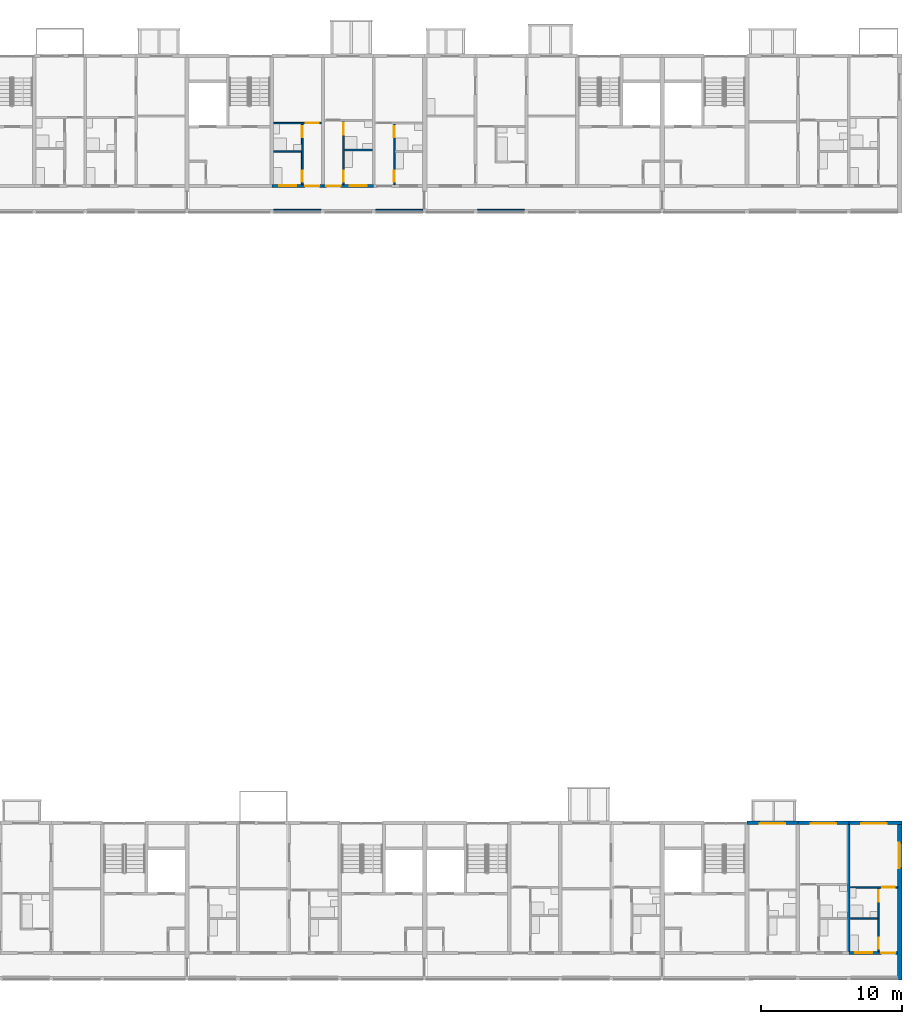
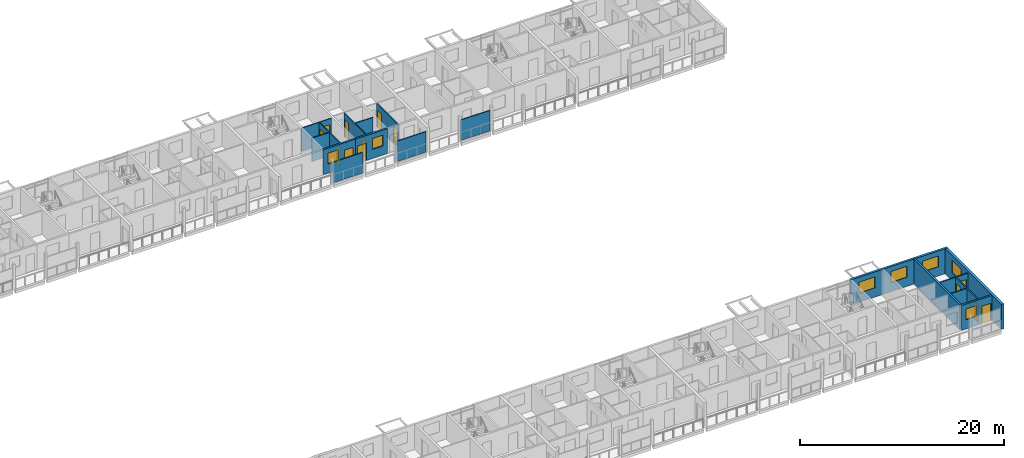
# One storey, part 54 of 99: 20 walls, 13 doors, 7 windows, 20 openings.
"""IFC4 building model written with IfcOpenShell, lengths in metres."""

from ifc_helpers import new_model, si_unit, direction, frame, frame_2d, origin, place, context, subcontext, project, spatial, rectangle, extrude, material, layer, layer_set, type_object, element, fill, save


model = new_model("IFC4")

# Units and contexts
model_context = context("Model", 3, precision=1e-05, world=origin(), true_north=direction((0.0, 1.0)))
body_context = subcontext(model_context, "Body", "Model", "MODEL_VIEW")
ifc_project = project(units=[si_unit("LENGTHUNIT", "METRE"), si_unit("AREAUNIT", "SQUARE_METRE"), si_unit("VOLUMEUNIT", "CUBIC_METRE"), si_unit("PLANEANGLEUNIT", "RADIAN"), si_unit("MASSUNIT", "GRAM", prefix="KILO")], contexts=[model_context])

# Site, building, storey
site_placement = place(None, origin())
site = spatial("IfcSite", under=ifc_project, at=site_placement, CompositionType="ELEMENT")
building_placement = place(site_placement, origin())
building = spatial("IfcBuilding", under=site, at=building_placement, Name="Ridgestep Commons", CompositionType="ELEMENT")
storey_placement = place(building_placement, frame((0.0, 0.0, 15.0)))
storey = spatial("IfcBuildingStorey", under=building, at=storey_placement, Name="L05", CompositionType="ELEMENT", Elevation=15.0)

# Wall
ifc_material_1 = material(Name="Precast concrete C40/50", Category="concrete")
ifc_layer_1 = layer(ifc_material_1, 0.199951171875)
ifc_layer_set_1 = layer_set([ifc_layer_1], Name="Cross wall 200")
wall_type_1 = type_object("IfcWallType", Name="Cross wall 200", PredefinedType="SHEAR", material=ifc_layer_set_1)
wall_1_placement = place(storey_placement, frame((244.0, 13.75, 0.0), z_axis=(0.0, 0.0, 1.0), x_axis=(0.0, 1.0, 0.0)))
element("IfcWall", 1, at=wall_1_placement, inside=storey, type_object=wall_type_1, Name="Cross wall D-05-2440", PredefinedType="SHEAR", context=body_context, shape_type="SweptSolid", body=[
    extrude(rectangle(XDim=9.0, YDim=0.199951171875, at=frame_2d((4.5, 0.0))), origin(), (0.0, 0.0, 1.0), 3.0),
])

# Wall, opening, window
ifc_material_2 = material(Name="Precast concrete C40/50", Category="concrete")
ifc_layer_2 = layer(ifc_material_2, 0.300048828125)
ifc_layer_set_2 = layer_set([ifc_layer_2], Name="Exposed division wall 300")
wall_type_2 = type_object("IfcWallType", Name="Exposed division wall 300", PredefinedType="SHEAR", material=ifc_layer_set_2)
wall_2_placement = place(storey_placement, frame((247.60009765625, 11.75, 0.0), z_axis=(0.0, 0.0, 1.0), x_axis=(0.0, 1.0, 0.0)))
wall_2 = element("IfcWall", 2, at=wall_2_placement, inside=storey, type_object=wall_type_2, Name="Cross wall D-05-2476", PredefinedType="SHEAR", context=body_context, shape_type="SweptSolid", body=[
    extrude(rectangle(XDim=11.0, YDim=0.300048828125, at=frame_2d((5.5, 0.0))), origin(), (0.0, 0.0, 1.0), 3.0),
])
opening_1_placement = place(wall_2_placement, frame((7.905029296875, 0.0, 0.89990234375)))
opening_1 = element("IfcOpeningElement", 3, at=opening_1_placement, cuts=wall_2, Name="Opening W20", PredefinedType="OPENING", context=body_context, shape_type="SweptSolid", body=[
    extrude(rectangle(XDim=1.800048828125, YDim=1.5, at=frame_2d((0.89990234375, 0.75))), frame((0.0, 0.159912109375, 0.0), z_axis=(0.0, -1.0, 0.0), x_axis=(1.0, 0.0, 0.0)), (0.0, 0.0, 1.0), 0.320068359375),
])
ifc_material_3 = material(Name="Aluminium 6063-T6 and glass", Category="aluminium")
window_type_1 = type_object("IfcWindowType", Name="Flat window 1800 x 1500", PartitioningType="DOUBLE_PANEL_VERTICAL", PredefinedType="WINDOW", material=ifc_material_3)
window_1_placement = place(opening_1_placement, origin())
window_1 = element("IfcWindow", 4, at=window_1_placement, inside=storey, type_object=window_type_1, Name="Window D6-05a 3", OverallHeight=1.5, OverallWidth=1.800048828125, PartitioningType="SINGLE_PANEL", PredefinedType="WINDOW", context=body_context, shape_type="SweptSolid", body=[
    extrude(rectangle(XDim=1.800048828125, YDim=1.5, at=frame_2d((0.89990234375, 0.75))), frame((0.0, 0.06005859375, 0.0), z_axis=(0.0, -1.0, 0.0), x_axis=(1.0, 0.0, 0.0)), (0.0, 0.0, 1.0), 0.06005859375),
])
fill(opening_1, window_1)

ifc_material_4 = material(Name="Precast concrete C40/50", Category="concrete")
ifc_layer_3 = layer(ifc_material_4, 0.25)
ifc_layer_set_3 = layer_set([ifc_layer_3], Name="North facade panel 250")
wall_type_3 = type_object("IfcWallType", Name="North facade panel 250", PredefinedType="SOLIDWALL", material=ifc_layer_set_3)
wall_3_placement = place(storey_placement, frame((236.800048828125, 22.875, 0.0), z_axis=(0.0, 0.0, 1.0), x_axis=(1.0, 0.0, 0.0)))
wall_3 = element("IfcWall", 5, at=wall_3_placement, inside=storey, type_object=wall_type_3, Name="North panel D6T3 L05", PredefinedType="SOLIDWALL", context=body_context, shape_type="SweptSolid", body=[
    extrude(rectangle(XDim=3.599853515625, YDim=0.25, at=frame_2d((1.7998046875, 0.0))), origin(), (0.0, 0.0, 1.0), 3.0),
])
opening_2_placement = place(wall_3_placement, frame((0.89990234375, 0.0, 1.10009765625)))
opening_2 = element("IfcOpeningElement", 6, at=opening_2_placement, cuts=wall_3, Name="Opening W18", PredefinedType="OPENING", context=body_context, shape_type="SweptSolid", body=[
    extrude(rectangle(XDim=1.800048828125, YDim=1.300048828125, at=frame_2d((0.89990234375, 0.64990234375))), frame((0.0, 0.135009765625, 0.0), z_axis=(0.0, -1.0, 0.0), x_axis=(1.0, 0.0, 0.0)), (0.0, 0.0, 1.0), 0.27001953125),
])
ifc_material_5 = material(Name="Aluminium 6063-T6 and glass", Category="aluminium")
window_type_2 = type_object("IfcWindowType", Name="Flat window 1800 x 1300", PartitioningType="DOUBLE_PANEL_VERTICAL", PredefinedType="WINDOW", material=ifc_material_5)
window_2_placement = place(opening_2_placement, origin())
window_2 = element("IfcWindow", 7, at=window_2_placement, inside=storey, type_object=window_type_2, Name="Window D6-05c 2", OverallHeight=1.300048828125, OverallWidth=1.800048828125, PartitioningType="SINGLE_PANEL", PredefinedType="WINDOW", context=body_context, shape_type="SweptSolid", body=[
    extrude(rectangle(XDim=1.800048828125, YDim=1.300048828125, at=frame_2d((0.89990234375, 0.64990234375))), frame((0.0, -0.02490234375, 0.0), z_axis=(0.0, -1.0, 0.0), x_axis=(1.0, 0.0, 0.0)), (0.0, 0.0, 1.0), 0.06005859375),
])
fill(opening_2, window_2)

wall_4_placement = place(storey_placement, frame((240.39990234375, 22.875, 0.0), z_axis=(0.0, 0.0, 1.0), x_axis=(1.0, 0.0, 0.0)))
wall_4 = element("IfcWall", 8, at=wall_4_placement, inside=storey, type_object=wall_type_3, Name="North panel D6T2 L05", PredefinedType="SOLIDWALL", context=body_context, shape_type="SweptSolid", body=[
    extrude(rectangle(XDim=3.60009765625, YDim=0.25, at=frame_2d((1.800048828125, 0.0))), origin(), (0.0, 0.0, 1.0), 3.0),
])
opening_3_placement = place(wall_4_placement, frame((0.91259765625, 0.0, 1.10009765625)))
opening_3 = element("IfcOpeningElement", 9, at=opening_3_placement, cuts=wall_4, Name="Opening W18", PredefinedType="OPENING", context=body_context, shape_type="SweptSolid", body=[
    extrude(rectangle(XDim=1.800048828125, YDim=1.300048828125, at=frame_2d((0.89990234375, 0.64990234375))), frame((0.0, 0.135009765625, 0.0), z_axis=(0.0, -1.0, 0.0), x_axis=(1.0, 0.0, 0.0)), (0.0, 0.0, 1.0), 0.27001953125),
])
window_3_placement = place(opening_3_placement, origin())
window_3 = element("IfcWindow", 10, at=window_3_placement, inside=storey, type_object=window_type_2, Name="Window D6-05b 2", OverallHeight=1.300048828125, OverallWidth=1.800048828125, PartitioningType="SINGLE_PANEL", PredefinedType="WINDOW", context=body_context, shape_type="SweptSolid", body=[
    extrude(rectangle(XDim=1.800048828125, YDim=1.300048828125, at=frame_2d((0.89990234375, 0.64990234375))), frame((0.0, -0.02490234375, 0.0), z_axis=(0.0, -1.0, 0.0), x_axis=(1.0, 0.0, 0.0)), (0.0, 0.0, 1.0), 0.06005859375),
])
fill(opening_3, window_3)

wall_5_placement = place(storey_placement, frame((244.0, 22.875, 0.0), z_axis=(0.0, 0.0, 1.0), x_axis=(1.0, 0.0, 0.0)))
wall_5 = element("IfcWall", 11, at=wall_5_placement, inside=storey, type_object=wall_type_3, Name="North panel D6T1 L05", PredefinedType="SOLIDWALL", context=body_context, shape_type="SweptSolid", body=[
    extrude(rectangle(XDim=3.75, YDim=0.25, at=frame_2d((1.875, 0.0))), origin(), (0.0, 0.0, 1.0), 3.0),
])
opening_4_placement = place(wall_5_placement, frame((0.875, 0.0, 1.10009765625)))
opening_4 = element("IfcOpeningElement", 12, at=opening_4_placement, cuts=wall_5, Name="Opening W18", PredefinedType="OPENING", context=body_context, shape_type="SweptSolid", body=[
    extrude(rectangle(XDim=1.800048828125, YDim=1.300048828125, at=frame_2d((0.89990234375, 0.64990234375))), frame((0.0, 0.135009765625, 0.0), z_axis=(0.0, -1.0, 0.0), x_axis=(1.0, 0.0, 0.0)), (0.0, 0.0, 1.0), 0.27001953125),
])
window_4_placement = place(opening_4_placement, origin())
window_4 = element("IfcWindow", 13, at=window_4_placement, inside=storey, type_object=window_type_2, Name="Window D6-05a 2", OverallHeight=1.300048828125, OverallWidth=1.800048828125, PartitioningType="SINGLE_PANEL", PredefinedType="WINDOW", context=body_context, shape_type="SweptSolid", body=[
    extrude(rectangle(XDim=1.800048828125, YDim=1.300048828125, at=frame_2d((0.89990234375, 0.64990234375))), frame((0.0, -0.02490234375, 0.0), z_axis=(0.0, -1.0, 0.0), x_axis=(1.0, 0.0, 0.0)), (0.0, 0.0, 1.0), 0.06005859375),
])
fill(opening_4, window_4)

# Wall, openings, doors
ifc_material_6 = material(Name="Common brick 110 mm", Category="masonry")
ifc_layer_4 = layer(ifc_material_6, 0.110107421875)
ifc_layer_set_4 = layer_set([ifc_layer_4], Name="Partition 110")
wall_type_4 = type_object("IfcWallType", Name="Partition 110", PredefinedType="PARTITIONING", material=ifc_layer_set_4)
wall_6_placement = place(storey_placement, frame((211.85498046875, 68.0, 0.0), z_axis=(0.0, 0.0, 1.0), x_axis=(0.0, 1.0, 0.0)))
wall_6 = element("IfcWall", 14, at=wall_6_placement, inside=storey, type_object=wall_type_4, Name="Partition C4-05a", PredefinedType="PARTITIONING", context=body_context, shape_type="SweptSolid", body=[
    extrude(rectangle(XDim=4.300048828125, YDim=0.110107421875, at=frame_2d((2.14990234375, 0.0))), origin(), (0.0, 0.0, 1.0), 2.800048828125),
])
opening_5_placement = place(wall_6_placement, frame((0.199951171875, 0.0, 0.0)))
opening_5 = element("IfcOpeningElement", 15, at=opening_5_placement, cuts=wall_6, Name="Opening C4-05a/2", PredefinedType="OPENING", context=body_context, shape_type="SweptSolid", body=[
    extrude(rectangle(XDim=0.800048828125, YDim=2.10009765625, at=frame_2d((0.39990234375, 1.050048828125))), frame((0.0, 0.06494140625, 0.0), z_axis=(0.0, -1.0, 0.0), x_axis=(1.0, 0.0, 0.0)), (0.0, 0.0, 1.0), 0.130126953125),
])
opening_6_placement = place(wall_6_placement, frame((3.35009765625, 0.0, 0.0)))
opening_6 = element("IfcOpeningElement", 16, at=opening_6_placement, cuts=wall_6, Name="Opening C4-05a/3", PredefinedType="OPENING", context=body_context, shape_type="SweptSolid", body=[
    extrude(rectangle(XDim=0.800048828125, YDim=2.10009765625, at=frame_2d((0.39990234375, 1.050048828125))), frame((0.0, 0.06494140625, 0.0), z_axis=(0.0, -1.0, 0.0), x_axis=(1.0, 0.0, 0.0)), (0.0, 0.0, 1.0), 0.130126953125),
])
ifc_material_7 = material(Name="Timber door leaf", Category="wood")
door_type_1 = type_object("IfcDoorType", Name="Internal door 800 x 2100", OperationType="NOTDEFINED", PredefinedType="DOOR", material=ifc_material_7)
door_1_placement = place(opening_5_placement, origin())
door_1 = element("IfcDoor", 17, at=door_1_placement, inside=storey, type_object=door_type_1, Name="Internal door C4-05a/2", OperationType="SINGLE_SWING_RIGHT", OverallHeight=2.10009765625, OverallWidth=0.800048828125, PredefinedType="DOOR", context=body_context, shape_type="SweptSolid", body=[
    extrude(rectangle(XDim=0.800048828125, YDim=2.10009765625, at=frame_2d((0.39990234375, 1.050048828125))), frame((0.0, 0.02490234375, 0.0), z_axis=(0.0, -1.0, 0.0), x_axis=(1.0, 0.0, 0.0)), (0.0, 0.0, 1.0), 0.050048828125),
])
fill(opening_5, door_1)
door_2_placement = place(opening_6_placement, origin())
door_2 = element("IfcDoor", 18, at=door_2_placement, inside=storey, type_object=door_type_1, Name="Internal door C4-05a/3", OperationType="SINGLE_SWING_LEFT", OverallHeight=2.10009765625, OverallWidth=0.800048828125, PredefinedType="DOOR", context=body_context, shape_type="SweptSolid", body=[
    extrude(rectangle(XDim=0.800048828125, YDim=2.10009765625, at=frame_2d((0.39990234375, 1.050048828125))), frame((0.0, 0.02490234375, 0.0), z_axis=(0.0, -1.0, 0.0), x_axis=(1.0, 0.0, 0.0)), (0.0, 0.0, 1.0), 0.050048828125),
])
fill(opening_6, door_2)

wall_7_placement = place(storey_placement, frame((208.2548828125, 68.0, 0.0), z_axis=(0.0, 0.0, 1.0), x_axis=(0.0, 1.0, 0.0)))
wall_7 = element("IfcWall", 19, at=wall_7_placement, inside=storey, type_object=wall_type_4, Name="Partition C4-05b", PredefinedType="PARTITIONING", context=body_context, shape_type="SweptSolid", body=[
    extrude(rectangle(XDim=4.5, YDim=0.110107421875, at=frame_2d((2.25, 0.0))), origin(), (0.0, 0.0, 1.0), 2.800048828125),
])
opening_7_placement = place(wall_7_placement, frame((0.199951171875, 0.0, 0.0)))
opening_7 = element("IfcOpeningElement", 20, at=opening_7_placement, cuts=wall_7, Name="Opening C4-05b/2", PredefinedType="OPENING", context=body_context, shape_type="SweptSolid", body=[
    extrude(rectangle(XDim=0.800048828125, YDim=2.10009765625, at=frame_2d((0.39990234375, 1.050048828125))), frame((0.0, 0.06494140625, 0.0), z_axis=(0.0, -1.0, 0.0), x_axis=(1.0, 0.0, 0.0)), (0.0, 0.0, 1.0), 0.130126953125),
])
opening_8_placement = place(wall_7_placement, frame((3.550048828125, 0.0, 0.0)))
opening_8 = element("IfcOpeningElement", 21, at=opening_8_placement, cuts=wall_7, Name="Opening C4-05b/3", PredefinedType="OPENING", context=body_context, shape_type="SweptSolid", body=[
    extrude(rectangle(XDim=0.800048828125, YDim=2.10009765625, at=frame_2d((0.39990234375, 1.050048828125))), frame((0.0, 0.06494140625, 0.0), z_axis=(0.0, -1.0, 0.0), x_axis=(1.0, 0.0, 0.0)), (0.0, 0.0, 1.0), 0.130126953125),
])
door_3_placement = place(opening_7_placement, origin())
door_3 = element("IfcDoor", 22, at=door_3_placement, inside=storey, type_object=door_type_1, Name="Internal door C4-05b/2", OperationType="SINGLE_SWING_RIGHT", OverallHeight=2.10009765625, OverallWidth=0.800048828125, PredefinedType="DOOR", context=body_context, shape_type="SweptSolid", body=[
    extrude(rectangle(XDim=0.800048828125, YDim=2.10009765625, at=frame_2d((0.39990234375, 1.050048828125))), frame((0.0, 0.02490234375, 0.0), z_axis=(0.0, -1.0, 0.0), x_axis=(1.0, 0.0, 0.0)), (0.0, 0.0, 1.0), 0.050048828125),
])
fill(opening_7, door_3)
door_4_placement = place(opening_8_placement, origin())
door_4 = element("IfcDoor", 23, at=door_4_placement, inside=storey, type_object=door_type_1, Name="Internal door C4-05b/3", OperationType="SINGLE_SWING_LEFT", OverallHeight=2.10009765625, OverallWidth=0.800048828125, PredefinedType="DOOR", context=body_context, shape_type="SweptSolid", body=[
    extrude(rectangle(XDim=0.800048828125, YDim=2.10009765625, at=frame_2d((0.39990234375, 1.050048828125))), frame((0.0, 0.02490234375, 0.0), z_axis=(0.0, -1.0, 0.0), x_axis=(1.0, 0.0, 0.0)), (0.0, 0.0, 1.0), 0.050048828125),
])
fill(opening_8, door_4)

# Walls
wall_8_placement = place(storey_placement, frame((208.31005859375, 70.455078125, 0.0), z_axis=(0.0, 0.0, 1.0), x_axis=(1.0, 0.0, 0.0)))
element("IfcWall", 24, at=wall_8_placement, inside=storey, type_object=wall_type_4, Name="Partition C4-05b", PredefinedType="PARTITIONING", context=body_context, shape_type="SweptSolid", body=[
    extrude(rectangle(XDim=1.989990234375, YDim=0.110107421875, at=frame_2d((0.9951171875, 0.0))), origin(), (0.0, 0.0, 1.0), 2.800048828125),
])
wall_9_placement = place(storey_placement, frame((203.324951171875, 70.35498046875, 0.0), z_axis=(0.0, 0.0, 1.0), x_axis=(1.0, 0.0, 0.0)))
element("IfcWall", 25, at=wall_9_placement, inside=storey, type_object=wall_type_4, Name="Partition C4-05c", PredefinedType="PARTITIONING", context=body_context, shape_type="SweptSolid", body=[
    extrude(rectangle(XDim=1.965087890625, YDim=0.110107421875, at=frame_2d((0.982421875, 0.0))), origin(), (0.0, 0.0, 1.0), 2.800048828125),
])

# Wall, openings, doors
wall_10_placement = place(storey_placement, frame((205.344970703125, 68.0, 0.0), z_axis=(0.0, 0.0, 1.0), x_axis=(0.0, 1.0, 0.0)))
wall_10 = element("IfcWall", 26, at=wall_10_placement, inside=storey, type_object=wall_type_4, Name="Partition C4-05c", PredefinedType="PARTITIONING", context=body_context, shape_type="SweptSolid", body=[
    extrude(rectangle(XDim=4.300048828125, YDim=0.110107421875, at=frame_2d((2.14990234375, 0.0))), origin(), (0.0, 0.0, 1.0), 2.800048828125),
])
opening_9_placement = place(wall_10_placement, frame((0.199951171875, 0.0, 0.0)))
opening_9 = element("IfcOpeningElement", 27, at=opening_9_placement, cuts=wall_10, Name="Opening C4-05c/2", PredefinedType="OPENING", context=body_context, shape_type="SweptSolid", body=[
    extrude(rectangle(XDim=0.800048828125, YDim=2.10009765625, at=frame_2d((0.39990234375, 1.050048828125))), frame((0.0, 0.06494140625, 0.0), z_axis=(0.0, -1.0, 0.0), x_axis=(1.0, 0.0, 0.0)), (0.0, 0.0, 1.0), 0.130126953125),
])
opening_10_placement = place(wall_10_placement, frame((3.35009765625, 0.0, 0.0)))
opening_10 = element("IfcOpeningElement", 28, at=opening_10_placement, cuts=wall_10, Name="Opening C4-05c/3", PredefinedType="OPENING", context=body_context, shape_type="SweptSolid", body=[
    extrude(rectangle(XDim=0.800048828125, YDim=2.10009765625, at=frame_2d((0.39990234375, 1.050048828125))), frame((0.0, 0.06494140625, 0.0), z_axis=(0.0, -1.0, 0.0), x_axis=(1.0, 0.0, 0.0)), (0.0, 0.0, 1.0), 0.130126953125),
])
door_5_placement = place(opening_9_placement, origin())
door_5 = element("IfcDoor", 29, at=door_5_placement, inside=storey, type_object=door_type_1, Name="Internal door C4-05c/2", OperationType="SINGLE_SWING_LEFT", OverallHeight=2.10009765625, OverallWidth=0.800048828125, PredefinedType="DOOR", context=body_context, shape_type="SweptSolid", body=[
    extrude(rectangle(XDim=0.800048828125, YDim=2.10009765625, at=frame_2d((0.39990234375, 1.050048828125))), frame((0.0, 0.02490234375, 0.0), z_axis=(0.0, -1.0, 0.0), x_axis=(1.0, 0.0, 0.0)), (0.0, 0.0, 1.0), 0.050048828125),
])
fill(opening_9, door_5)
door_6_placement = place(opening_10_placement, origin())
door_6 = element("IfcDoor", 30, at=door_6_placement, inside=storey, type_object=door_type_1, Name="Internal door C4-05c/3", OperationType="SINGLE_SWING_RIGHT", OverallHeight=2.10009765625, OverallWidth=0.800048828125, PredefinedType="DOOR", context=body_context, shape_type="SweptSolid", body=[
    extrude(rectangle(XDim=0.800048828125, YDim=2.10009765625, at=frame_2d((0.39990234375, 1.050048828125))), frame((0.0, 0.02490234375, 0.0), z_axis=(0.0, -1.0, 0.0), x_axis=(1.0, 0.0, 0.0)), (0.0, 0.0, 1.0), 0.050048828125),
])
fill(opening_10, door_6)

# Wall, opening, door
wall_11_placement = place(storey_placement, frame((203.324951171875, 72.35498046875, 0.0), z_axis=(0.0, 0.0, 1.0), x_axis=(1.0, 0.0, 0.0)))
wall_11 = element("IfcWall", 31, at=wall_11_placement, inside=storey, type_object=wall_type_4, Name="Partition C4-05c", PredefinedType="PARTITIONING", context=body_context, shape_type="SweptSolid", body=[
    extrude(rectangle(XDim=3.375, YDim=0.110107421875, at=frame_2d((1.6875, 0.0))), origin(), (0.0, 0.0, 1.0), 2.800048828125),
])
opening_11_placement = place(wall_11_placement, frame((2.27490234375, 0.0, 0.0)))
opening_11 = element("IfcOpeningElement", 32, at=opening_11_placement, cuts=wall_11, Name="Opening C4-05c/4", PredefinedType="OPENING", context=body_context, shape_type="SweptSolid", body=[
    extrude(rectangle(XDim=0.89990234375, YDim=2.10009765625, at=frame_2d((0.449951171875, 1.050048828125))), frame((0.0, 0.06494140625, 0.0), z_axis=(0.0, -1.0, 0.0), x_axis=(1.0, 0.0, 0.0)), (0.0, 0.0, 1.0), 0.130126953125),
])
ifc_material_8 = material(Name="Timber door leaf", Category="wood")
door_type_2 = type_object("IfcDoorType", Name="Internal door 900 x 2100", OperationType="NOTDEFINED", PredefinedType="DOOR", material=ifc_material_8)
door_7_placement = place(opening_11_placement, origin())
door_7 = element("IfcDoor", 33, at=door_7_placement, inside=storey, type_object=door_type_2, Name="Internal door C4-05c/4", OperationType="SINGLE_SWING_LEFT", OverallHeight=2.10009765625, OverallWidth=0.89990234375, PredefinedType="DOOR", context=body_context, shape_type="SweptSolid", body=[
    extrude(rectangle(XDim=0.89990234375, YDim=2.10009765625, at=frame_2d((0.449951171875, 1.050048828125))), frame((0.0, 0.02490234375, 0.0), z_axis=(0.0, -1.0, 0.0), x_axis=(1.0, 0.0, 0.0)), (0.0, 0.0, 1.0), 0.050048828125),
])
fill(opening_11, door_7)

# Wall
wall_12_placement = place(storey_placement, frame((244.10009765625, 16.10498046875, 0.0), z_axis=(0.0, 0.0, 1.0), x_axis=(1.0, 0.0, 0.0)))
element("IfcWall", 34, at=wall_12_placement, inside=storey, type_object=wall_type_4, Name="Partition D6-05a", PredefinedType="PARTITIONING", context=body_context, shape_type="SweptSolid", body=[
    extrude(rectangle(XDim=1.93994140625, YDim=0.110107421875, at=frame_2d((0.969970703125, 0.0))), origin(), (0.0, 0.0, 1.0), 2.800048828125),
])

# Wall, openings, doors
wall_13_placement = place(storey_placement, frame((246.094970703125, 13.75, 0.0), z_axis=(0.0, 0.0, 1.0), x_axis=(0.0, 1.0, 0.0)))
wall_13 = element("IfcWall", 35, at=wall_13_placement, inside=storey, type_object=wall_type_4, Name="Partition D6-05a", PredefinedType="PARTITIONING", context=body_context, shape_type="SweptSolid", body=[
    extrude(rectangle(XDim=4.5, YDim=0.110107421875, at=frame_2d((2.25, 0.0))), origin(), (0.0, 0.0, 1.0), 2.800048828125),
])
opening_12_placement = place(wall_13_placement, frame((0.199951171875, 0.0, 0.0)))
opening_12 = element("IfcOpeningElement", 36, at=opening_12_placement, cuts=wall_13, Name="Opening D6-05a/2", PredefinedType="OPENING", context=body_context, shape_type="SweptSolid", body=[
    extrude(rectangle(XDim=0.800048828125, YDim=2.10009765625, at=frame_2d((0.39990234375, 1.050048828125))), frame((0.0, 0.06494140625, 0.0), z_axis=(0.0, -1.0, 0.0), x_axis=(1.0, 0.0, 0.0)), (0.0, 0.0, 1.0), 0.130126953125),
])
opening_13_placement = place(wall_13_placement, frame((3.550048828125, 0.0, 0.0)))
opening_13 = element("IfcOpeningElement", 37, at=opening_13_placement, cuts=wall_13, Name="Opening D6-05a/3", PredefinedType="OPENING", context=body_context, shape_type="SweptSolid", body=[
    extrude(rectangle(XDim=0.800048828125, YDim=2.10009765625, at=frame_2d((0.39990234375, 1.050048828125))), frame((0.0, 0.06494140625, 0.0), z_axis=(0.0, -1.0, 0.0), x_axis=(1.0, 0.0, 0.0)), (0.0, 0.0, 1.0), 0.130126953125),
])
door_8_placement = place(opening_12_placement, origin())
door_8 = element("IfcDoor", 38, at=door_8_placement, inside=storey, type_object=door_type_1, Name="Internal door D6-05a/2", OperationType="SINGLE_SWING_LEFT", OverallHeight=2.10009765625, OverallWidth=0.800048828125, PredefinedType="DOOR", context=body_context, shape_type="SweptSolid", body=[
    extrude(rectangle(XDim=0.800048828125, YDim=2.10009765625, at=frame_2d((0.39990234375, 1.050048828125))), frame((0.0, 0.02490234375, 0.0), z_axis=(0.0, -1.0, 0.0), x_axis=(1.0, 0.0, 0.0)), (0.0, 0.0, 1.0), 0.050048828125),
])
fill(opening_12, door_8)
door_9_placement = place(opening_13_placement, origin())
door_9 = element("IfcDoor", 39, at=door_9_placement, inside=storey, type_object=door_type_1, Name="Internal door D6-05a/3", OperationType="SINGLE_SWING_RIGHT", OverallHeight=2.10009765625, OverallWidth=0.800048828125, PredefinedType="DOOR", context=body_context, shape_type="SweptSolid", body=[
    extrude(rectangle(XDim=0.800048828125, YDim=2.10009765625, at=frame_2d((0.39990234375, 1.050048828125))), frame((0.0, 0.02490234375, 0.0), z_axis=(0.0, -1.0, 0.0), x_axis=(1.0, 0.0, 0.0)), (0.0, 0.0, 1.0), 0.050048828125),
])
fill(opening_13, door_9)

# Wall, opening, door
wall_14_placement = place(storey_placement, frame((244.10009765625, 18.304931640625, 0.0), z_axis=(0.0, 0.0, 1.0), x_axis=(1.0, 0.0, 0.0)))
wall_14 = element("IfcWall", 40, at=wall_14_placement, inside=storey, type_object=wall_type_4, Name="Partition D6-05a", PredefinedType="PARTITIONING", context=body_context, shape_type="SweptSolid", body=[
    extrude(rectangle(XDim=3.349853515625, YDim=0.110107421875, at=frame_2d((1.6748046875, 0.0))), origin(), (0.0, 0.0, 1.0), 2.800048828125),
])
opening_14_placement = place(wall_14_placement, frame((2.25, 0.0, 0.0)))
opening_14 = element("IfcOpeningElement", 41, at=opening_14_placement, cuts=wall_14, Name="Opening D6-05a/4", PredefinedType="OPENING", context=body_context, shape_type="SweptSolid", body=[
    extrude(rectangle(XDim=0.89990234375, YDim=2.10009765625, at=frame_2d((0.449951171875, 1.050048828125))), frame((0.0, 0.06494140625, 0.0), z_axis=(0.0, -1.0, 0.0), x_axis=(1.0, 0.0, 0.0)), (0.0, 0.0, 1.0), 0.130126953125),
])
door_10_placement = place(opening_14_placement, origin())
door_10 = element("IfcDoor", 42, at=door_10_placement, inside=storey, type_object=door_type_2, Name="Internal door D6-05a/4", OperationType="SINGLE_SWING_LEFT", OverallHeight=2.10009765625, OverallWidth=0.89990234375, PredefinedType="DOOR", context=body_context, shape_type="SweptSolid", body=[
    extrude(rectangle(XDim=0.89990234375, YDim=2.10009765625, at=frame_2d((0.449951171875, 1.050048828125))), frame((0.0, 0.02490234375, 0.0), z_axis=(0.0, -1.0, 0.0), x_axis=(1.0, 0.0, 0.0)), (0.0, 0.0, 1.0), 0.050048828125),
])
fill(opening_14, door_10)

# Walls
ifc_material_9 = material(Name="Precast concrete C30/37", Category="concrete")
ifc_layer_5 = layer(ifc_material_9, 0.10009765625)
ifc_layer_set_5 = layer_set([ifc_layer_5], Name="Perforated gallery screen 3325 x 2450 x 100")
wall_type_5 = type_object("IfcWallType", Name="Perforated gallery screen 3325 x 2450 x 100", PredefinedType="SOLIDWALL", material=ifc_layer_set_5)
wall_15_placement = place(storey_placement, frame((210.52490234375, 66.199951171875, 0.0), z_axis=(0.0, 0.0, 1.0), x_axis=(1.0, 0.0, 0.0)))
element("IfcWall", 43, at=wall_15_placement, inside=storey, type_object=wall_type_5, Name="Gallery screen C4T1 05", PredefinedType="SOLIDWALL", context=body_context, shape_type="SweptSolid", body=[
    extrude(rectangle(XDim=3.3251953125, YDim=0.10009765625, at=frame_2d((1.66259765625, 0.0))), origin(), (0.0, 0.0, 1.0), 2.449951171875),
])
ifc_material_10 = material(Name="Precast concrete C30/37", Category="concrete")
ifc_layer_6 = layer(ifc_material_10, 0.10009765625)
ifc_layer_set_6 = layer_set([ifc_layer_6], Name="Perforated gallery screen 3350 x 2450 x 100")
wall_type_6 = type_object("IfcWallType", Name="Perforated gallery screen 3350 x 2450 x 100", PredefinedType="SOLIDWALL", material=ifc_layer_set_6)
wall_16_placement = place(storey_placement, frame((203.324951171875, 66.199951171875, 0.0), z_axis=(0.0, 0.0, 1.0), x_axis=(1.0, 0.0, 0.0)))
element("IfcWall", 44, at=wall_16_placement, inside=storey, type_object=wall_type_6, Name="Gallery screen C4T3 05", PredefinedType="SOLIDWALL", context=body_context, shape_type="SweptSolid", body=[
    extrude(rectangle(XDim=3.35009765625, YDim=0.10009765625, at=frame_2d((1.675048828125, 0.0))), origin(), (0.0, 0.0, 1.0), 2.449951171875),
])
wall_17_placement = place(storey_placement, frame((217.72509765625, 66.199951171875, 0.0), z_axis=(0.0, 0.0, 1.0), x_axis=(1.0, 0.0, 0.0)))
element("IfcWall", 45, at=wall_17_placement, inside=storey, type_object=wall_type_6, Name="Gallery screen C5T2 05", PredefinedType="SOLIDWALL", context=body_context, shape_type="SweptSolid", body=[
    extrude(rectangle(XDim=3.349853515625, YDim=0.10009765625, at=frame_2d((1.6748046875, 0.0))), origin(), (0.0, 0.0, 1.0), 2.449951171875),
])

# Wall, openings, door, window
ifc_material_11 = material(Name="Precast concrete C40/50", Category="concrete")
ifc_layer_7 = layer(ifc_material_11, 0.199951171875)
ifc_layer_set_7 = layer_set([ifc_layer_7], Name="South facade panel 200")
wall_type_7 = type_object("IfcWallType", Name="South facade panel 200", PredefinedType="SOLIDWALL", material=ifc_layer_set_7)
wall_18_placement = place(storey_placement, frame((203.199951171875, 67.89990234375, 0.0), z_axis=(0.0, 0.0, 1.0), x_axis=(1.0, 0.0, 0.0)))
wall_18 = element("IfcWall", 46, at=wall_18_placement, inside=storey, type_object=wall_type_7, Name="South panel C4T3 L05", PredefinedType="SOLIDWALL", context=body_context, shape_type="SweptSolid", body=[
    extrude(rectangle(XDim=3.60009765625, YDim=0.199951171875, at=frame_2d((1.800048828125, 0.0))), origin(), (0.0, 0.0, 1.0), 3.0),
])
opening_15_placement = place(wall_18_placement, frame((0.507568359375, 0.0, 1.10009765625)))
opening_15 = element("IfcOpeningElement", 47, at=opening_15_placement, cuts=wall_18, Name="Opening W08", PredefinedType="OPENING", context=body_context, shape_type="SweptSolid", body=[
    extrude(rectangle(XDim=1.199951171875, YDim=1.300048828125, at=frame_2d((0.60009765625, 0.64990234375))), frame((0.0, 0.10986328125, 0.0), z_axis=(0.0, -1.0, 0.0), x_axis=(1.0, 0.0, 0.0)), (0.0, 0.0, 1.0), 0.219970703125),
])
opening_16_placement = place(wall_18_placement, frame((2.35009765625, 0.0, 0.0)))
opening_16 = element("IfcOpeningElement", 48, at=opening_16_placement, cuts=wall_18, Name="Opening C4-05c/1", PredefinedType="OPENING", context=body_context, shape_type="SweptSolid", body=[
    extrude(rectangle(XDim=1.0, YDim=2.10009765625, at=frame_2d((0.5, 1.050048828125))), frame((0.0, 0.10986328125, 0.0), z_axis=(0.0, -1.0, 0.0), x_axis=(1.0, 0.0, 0.0)), (0.0, 0.0, 1.0), 0.219970703125),
])
ifc_material_12 = material(Name="Timber door leaf", Category="wood")
door_type_3 = type_object("IfcDoorType", Name="Flat entrance door 1000 x 2100 FD30S", OperationType="NOTDEFINED", PredefinedType="DOOR", material=ifc_material_12)
door_11_placement = place(opening_16_placement, origin())
door_11 = element("IfcDoor", 49, at=door_11_placement, inside=storey, type_object=door_type_3, Name="Flat entrance door C4-05c/1", OperationType="SINGLE_SWING_RIGHT", OverallHeight=2.10009765625, OverallWidth=1.0, PredefinedType="DOOR", context=body_context, shape_type="SweptSolid", body=[
    extrude(rectangle(XDim=1.0, YDim=2.10009765625, at=frame_2d((0.5, 1.050048828125))), frame((0.0, 0.02490234375, 0.0), z_axis=(0.0, -1.0, 0.0), x_axis=(1.0, 0.0, 0.0)), (0.0, 0.0, 1.0), 0.050048828125),
])
fill(opening_16, door_11)
ifc_material_13 = material(Name="Aluminium 6063-T6 and glass", Category="aluminium")
window_type_3 = type_object("IfcWindowType", Name="Flat window 1200 x 1300", PartitioningType="SINGLE_PANEL", PredefinedType="WINDOW", material=ifc_material_13)
window_5_placement = place(opening_15_placement, origin())
window_5 = element("IfcWindow", 50, at=window_5_placement, inside=storey, type_object=window_type_3, Name="Window C4-05c 1", OverallHeight=1.300048828125, OverallWidth=1.199951171875, PartitioningType="SINGLE_PANEL", PredefinedType="WINDOW", context=body_context, shape_type="SweptSolid", body=[
    extrude(rectangle(XDim=1.199951171875, YDim=1.300048828125, at=frame_2d((0.60009765625, 0.64990234375))), frame((0.0, 0.06005859375, 0.0), z_axis=(0.0, -1.0, 0.0), x_axis=(1.0, 0.0, 0.0)), (0.0, 0.0, 1.0), 0.06005859375),
])
fill(opening_15, window_5)

wall_19_placement = place(storey_placement, frame((206.800048828125, 67.89990234375, 0.0), z_axis=(0.0, 0.0, 1.0), x_axis=(1.0, 0.0, 0.0)))
wall_19 = element("IfcWall", 51, at=wall_19_placement, inside=storey, type_object=wall_type_7, Name="South panel C4T2 L05", PredefinedType="SOLIDWALL", context=body_context, shape_type="SweptSolid", body=[
    extrude(rectangle(XDim=3.599853515625, YDim=0.199951171875, at=frame_2d((1.7998046875, 0.0))), origin(), (0.0, 0.0, 1.0), 3.0),
])
opening_17_placement = place(wall_19_placement, frame((1.905029296875, 0.0, 1.10009765625)))
opening_17 = element("IfcOpeningElement", 52, at=opening_17_placement, cuts=wall_19, Name="Opening W08", PredefinedType="OPENING", context=body_context, shape_type="SweptSolid", body=[
    extrude(rectangle(XDim=1.199951171875, YDim=1.300048828125, at=frame_2d((0.60009765625, 0.64990234375))), frame((0.0, 0.10986328125, 0.0), z_axis=(0.0, -1.0, 0.0), x_axis=(1.0, 0.0, 0.0)), (0.0, 0.0, 1.0), 0.219970703125),
])
opening_18_placement = place(wall_19_placement, frame((0.25, 0.0, 0.0)))
opening_18 = element("IfcOpeningElement", 53, at=opening_18_placement, cuts=wall_19, Name="Opening C4-05b/1", PredefinedType="OPENING", context=body_context, shape_type="SweptSolid", body=[
    extrude(rectangle(XDim=1.0, YDim=2.10009765625, at=frame_2d((0.5, 1.050048828125))), frame((0.0, 0.10986328125, 0.0), z_axis=(0.0, -1.0, 0.0), x_axis=(1.0, 0.0, 0.0)), (0.0, 0.0, 1.0), 0.219970703125),
])
door_12_placement = place(opening_18_placement, origin())
door_12 = element("IfcDoor", 54, at=door_12_placement, inside=storey, type_object=door_type_3, Name="Flat entrance door C4-05b/1", OperationType="SINGLE_SWING_LEFT", OverallHeight=2.10009765625, OverallWidth=1.0, PredefinedType="DOOR", context=body_context, shape_type="SweptSolid", body=[
    extrude(rectangle(XDim=1.0, YDim=2.10009765625, at=frame_2d((0.5, 1.050048828125))), frame((0.0, 0.02490234375, 0.0), z_axis=(0.0, -1.0, 0.0), x_axis=(1.0, 0.0, 0.0)), (0.0, 0.0, 1.0), 0.050048828125),
])
fill(opening_18, door_12)
window_6_placement = place(opening_17_placement, origin())
window_6 = element("IfcWindow", 55, at=window_6_placement, inside=storey, type_object=window_type_3, Name="Window C4-05b 1", OverallHeight=1.300048828125, OverallWidth=1.199951171875, PartitioningType="SINGLE_PANEL", PredefinedType="WINDOW", context=body_context, shape_type="SweptSolid", body=[
    extrude(rectangle(XDim=1.199951171875, YDim=1.300048828125, at=frame_2d((0.60009765625, 0.64990234375))), frame((0.0, 0.06005859375, 0.0), z_axis=(0.0, -1.0, 0.0), x_axis=(1.0, 0.0, 0.0)), (0.0, 0.0, 1.0), 0.06005859375),
])
fill(opening_17, window_6)

wall_20_placement = place(storey_placement, frame((244.0, 13.64990234375, 0.0), z_axis=(0.0, 0.0, 1.0), x_axis=(1.0, 0.0, 0.0)))
wall_20 = element("IfcWall", 56, at=wall_20_placement, inside=storey, type_object=wall_type_7, Name="South panel D6T1 L05", PredefinedType="SOLIDWALL", context=body_context, shape_type="SweptSolid", body=[
    extrude(rectangle(XDim=3.449951171875, YDim=0.199951171875, at=frame_2d((1.72509765625, 0.0))), origin(), (0.0, 0.0, 1.0), 3.0),
])
opening_19_placement = place(wall_20_placement, frame((0.469970703125, 0.0, 1.10009765625)))
opening_19 = element("IfcOpeningElement", 57, at=opening_19_placement, cuts=wall_20, Name="Opening W08", PredefinedType="OPENING", context=body_context, shape_type="SweptSolid", body=[
    extrude(rectangle(XDim=1.199951171875, YDim=1.300048828125, at=frame_2d((0.60009765625, 0.64990234375))), frame((0.0, 0.10986328125, 0.0), z_axis=(0.0, -1.0, 0.0), x_axis=(1.0, 0.0, 0.0)), (0.0, 0.0, 1.0), 0.219970703125),
])
opening_20_placement = place(wall_20_placement, frame((2.300048828125, 0.0, 0.0)))
opening_20 = element("IfcOpeningElement", 58, at=opening_20_placement, cuts=wall_20, Name="Opening D6-05a/1", PredefinedType="OPENING", context=body_context, shape_type="SweptSolid", body=[
    extrude(rectangle(XDim=1.0, YDim=2.10009765625, at=frame_2d((0.5, 1.050048828125))), frame((0.0, 0.10986328125, 0.0), z_axis=(0.0, -1.0, 0.0), x_axis=(1.0, 0.0, 0.0)), (0.0, 0.0, 1.0), 0.219970703125),
])
door_13_placement = place(opening_20_placement, origin())
door_13 = element("IfcDoor", 59, at=door_13_placement, inside=storey, type_object=door_type_3, Name="Flat entrance door D6-05a/1", OperationType="SINGLE_SWING_RIGHT", OverallHeight=2.10009765625, OverallWidth=1.0, PredefinedType="DOOR", context=body_context, shape_type="SweptSolid", body=[
    extrude(rectangle(XDim=1.0, YDim=2.10009765625, at=frame_2d((0.5, 1.050048828125))), frame((0.0, 0.02490234375, 0.0), z_axis=(0.0, -1.0, 0.0), x_axis=(1.0, 0.0, 0.0)), (0.0, 0.0, 1.0), 0.050048828125),
])
fill(opening_20, door_13)
window_7_placement = place(opening_19_placement, origin())
window_7 = element("IfcWindow", 60, at=window_7_placement, inside=storey, type_object=window_type_3, Name="Window D6-05a 1", OverallHeight=1.300048828125, OverallWidth=1.199951171875, PartitioningType="SINGLE_PANEL", PredefinedType="WINDOW", context=body_context, shape_type="SweptSolid", body=[
    extrude(rectangle(XDim=1.199951171875, YDim=1.300048828125, at=frame_2d((0.60009765625, 0.64990234375))), frame((0.0, 0.06005859375, 0.0), z_axis=(0.0, -1.0, 0.0), x_axis=(1.0, 0.0, 0.0)), (0.0, 0.0, 1.0), 0.06005859375),
])
fill(opening_19, window_7)

save(model, "model.ifc")
